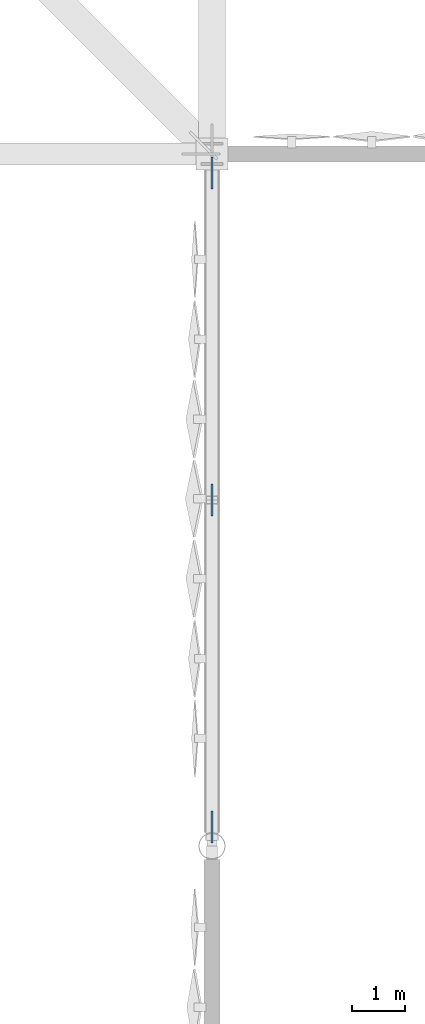
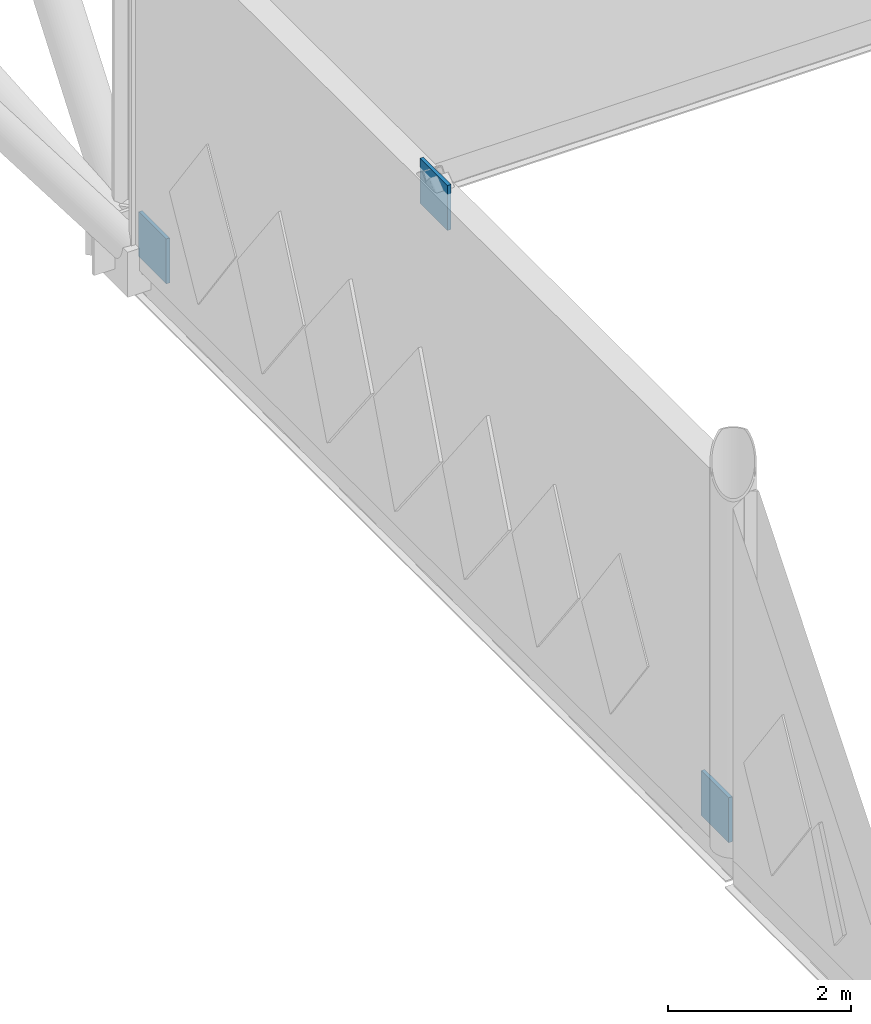
# One storey, part 83 of 119: 3 plates.
"""IFC4 building model written with IfcOpenShell, lengths in metres."""

from ifc_helpers import new_model, si_unit, direction, frame, origin, origin_2d, place, context, subcontext, project, spatial, rectangle, extrude, material, layer, layer_set, type_object, element, save


model = new_model("IFC4")

# Units and contexts
model_context = context("Model", 3, precision=1e-05, world=origin(), true_north=direction((0.0, 1.0)))
body_context = subcontext(model_context, "Body", "Model", "MODEL_VIEW")
ifc_project = project(units=[si_unit("LENGTHUNIT", "METRE"), si_unit("AREAUNIT", "SQUARE_METRE"), si_unit("VOLUMEUNIT", "CUBIC_METRE"), si_unit("PLANEANGLEUNIT", "RADIAN"), si_unit("MASSUNIT", "GRAM", prefix="KILO")], contexts=[model_context])

# Site, building, storey
site_placement = place(None, origin())
site = spatial("IfcSite", under=ifc_project, at=site_placement, CompositionType="ELEMENT")
building_placement = place(site_placement, origin())
building = spatial("IfcBuilding", under=site, at=building_placement, Name="Qamarlyn Nura Convention Centre", CompositionType="ELEMENT")
storey_placement = place(building_placement, frame((0.0, 0.0, 5.39990234375)))
storey = spatial("IfcBuildingStorey", under=building, at=storey_placement, Name="L01", CompositionType="ELEMENT", Elevation=5.39990234375)

# Plates
ifc_material = material(Name="Structural steel ASTM A572 Grade 50", Category="steel")
ifc_layer = layer(ifc_material, 0.044921875, Name="GP-TN1")
ifc_layer_set = layer_set([ifc_layer], Name="Structural steel ASTM A572 Grade 50")
plate_type = type_object("IfcPlateType", Name="GP-TN1", PredefinedType="USERDEFINED", material=ifc_layer_set)
for number, where, z_axis, x_axis, name in (
    (1, (0.0, 90.360107421875, 0.0), (0.0, 0.0, 1.0), (0.0, 1.0, 0.0), "SCBF chevron brace gusset plate CBF-W2-L01-A"),
    (2, (0.0, 102.639892578125, 0.0), (0.0, 0.0, 1.0), (0.0, 1.0, 0.0), "SCBF chevron brace gusset plate CBF-W2-L01-B"),
    (3, (0.0, 96.5, 4.43408203125), (0.0, 0.0, 1.0), (0.0, 1.0, 0.0), "SCBF chevron brace gusset plate CBF-W2-L01-M"),
):
    element("IfcPlate", number, at=place(storey_placement, frame(where, z_axis=z_axis, x_axis=x_axis)), inside=storey, type_object=plate_type, Name=name, ObjectType="GUSSET PLATE", PredefinedType="USERDEFINED", context=body_context, shape_type="SweptSolid", body=[
        extrude(rectangle(XDim=0.60009765625, YDim=0.044921875, at=origin_2d()), origin(), (0.0, 0.0, 1.0), 0.60009765625),
    ])

save(model, "model.ifc")
